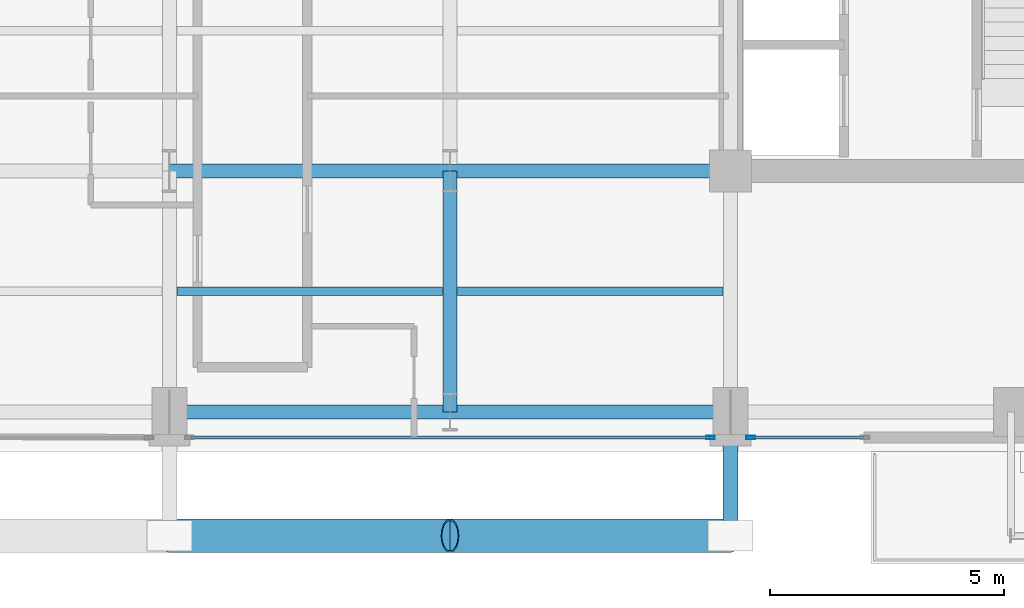
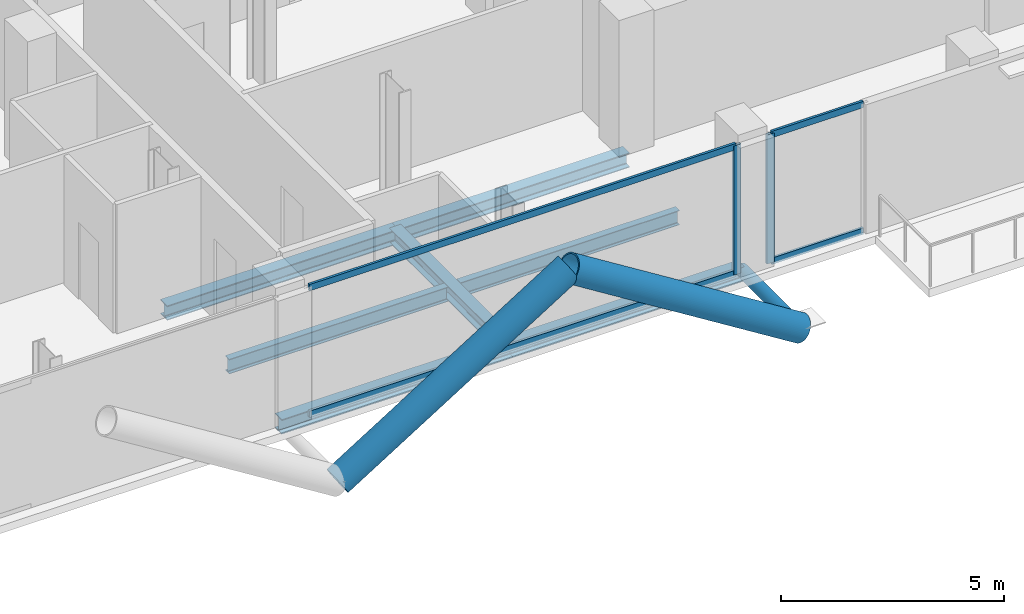
# One storey, part 4 of 25: 9 members, 7 beams, 2 elements without a shape of their own.
"""IFC4 building model written with IfcOpenShell, lengths in metres."""

from ifc_helpers import new_model, si_unit, direction, frame, origin, origin_2d, place, context, subcontext, project, spatial, hollow_rectangle, hollow_circle, i_section, extrude, material, layer, layer_set, material_profile, profile_set, type_object, element, aggregate, save


model = new_model("IFC4")

# Units and contexts
model_context = context("Model", 3, precision=1e-05, world=origin(), true_north=direction((0.0, 1.0)))
body_context = subcontext(model_context, "Body", "Model", "MODEL_VIEW")
ifc_project = project(units=[si_unit("LENGTHUNIT", "METRE"), si_unit("AREAUNIT", "SQUARE_METRE"), si_unit("VOLUMEUNIT", "CUBIC_METRE"), si_unit("PLANEANGLEUNIT", "RADIAN"), si_unit("MASSUNIT", "GRAM", prefix="KILO"), si_unit("THERMODYNAMICTEMPERATUREUNIT", "KELVIN"), si_unit("POWERUNIT", "WATT")], contexts=[model_context])

# Site, building, storey
site_placement = place(None, origin())
site = spatial("IfcSite", under=ifc_project, at=site_placement, CompositionType="ELEMENT")
building_placement = place(site_placement, origin())
building = spatial("IfcBuilding", under=site, at=building_placement, Name="Svarakhadi Broadcast Tower", CompositionType="ELEMENT")
storey_placement = place(building_placement, frame((0.0, 0.0, 216.14990234375)))
storey = spatial("IfcBuildingStorey", under=building, at=storey_placement, Name="L53", CompositionType="ELEMENT", Elevation=216.14990234375)

# Beams
ifc_material_1 = material(Name="Steel S355J2 (IS 2062 E350C)", Category="steel")
ifc_material_profile_1 = material_profile(ifc_material_1, i_section(OverallWidth=0.179931640625, OverallDepth=0.39990234375, WebThickness=0.008544921875, FlangeThickness=0.013427734375, FilletRadius=0.02099609375, at=origin_2d()), Name="NPB 400x180x66")
ifc_profile_set_1 = profile_set([ifc_material_profile_1], Name="Steel S355J2 (IS 2062 E350C)")
beam_type_1 = type_object("IfcBeamType", Name="Beam_NPB400", PredefinedType="BEAM", material=ifc_profile_set_1)
for number, where, z_axis, x_axis, name in (
    (1, (12.159912109375, 3.425048828125, -0.409912109375), (1.0, 0.0, 0.0), (0.0, 1.0, 0.0), "L53 Secondary Composite Beam SB009"),
    (2, (18.159912109375, 3.425048828125, -0.409912109375), (1.0, 0.0, 0.0), (0.0, 1.0, 0.0), "L53 Secondary Composite Beam SB013"),
):
    element("IfcBeam", number, at=place(storey_placement, frame(where, z_axis=z_axis, x_axis=x_axis)), inside=storey, type_object=beam_type_1, Name=name, PredefinedType="BEAM", context=body_context, shape_type="SweptSolid", body=[
        extrude(i_section(OverallWidth=0.179931640625, OverallDepth=0.39990234375, WebThickness=0.008544921875, FlangeThickness=0.013427734375, FilletRadius=0.02099609375, at=origin_2d()), origin(), (0.0, 0.0, 1.0), 5.68017578125),
    ])

# Curtain wall, member
ifc_material_2 = material(Name="Anodised Bronze Aluminium AA 6063-T6", Category="aluminium")
ifc_layer = layer(ifc_material_2, 0.18994140625)
ifc_layer_set = layer_set([ifc_layer], Name="Anodised Bronze Aluminium AA 6063-T6")
curtain_wall_type = type_object("IfcCurtainWallType", Name="CW_Sys_04", PredefinedType="NOTDEFINED", material=ifc_layer_set)
curtain_wall_1_placement = place(storey_placement, origin())
curtain_wall_1 = element("IfcCurtainWall", 3, at=curtain_wall_1_placement, inside=storey, type_object=curtain_wall_type, Name="L53 South Curtain Wall 17 Bay 1", PredefinedType="NOTDEFINED")
ifc_material_profile_2 = material_profile(ifc_material_2, hollow_rectangle(XDim=0.070068359375, YDim=0.18994140625, WallThickness=0.005615234375, at=origin_2d()), Name="ALU MULLION 190x70x6")
ifc_profile_set_2 = profile_set([ifc_material_profile_2], Name="Anodised Bronze Aluminium AA 6063-T6")
member_type_1 = type_object("IfcMemberType", Name="CW_Sys_04_Mul", PredefinedType="MULLION", material=ifc_profile_set_2)
member_1_placement = place(storey_placement, frame((24.429931640625, 0.300048828125, 0.0), z_axis=(0.0, 0.0, 1.0), x_axis=(0.0, -1.0, 0.0)))
member_1 = element("IfcMember", 4, at=member_1_placement, type_object=member_type_1, Name="CW-04 mullion 2", PredefinedType="MULLION", context=body_context, shape_type="SweptSolid", body=[
    extrude(hollow_rectangle(XDim=0.070068359375, YDim=0.18994140625, WallThickness=0.005615234375, at=origin_2d()), origin(), (0.0, 0.0, 1.0), 3.5400390625),
])

curtain_wall_2_placement = place(storey_placement, origin())
curtain_wall_2 = element("IfcCurtainWall", 5, at=curtain_wall_2_placement, inside=storey, type_object=curtain_wall_type, Name="L53 South Curtain Wall 17 Bay 2", PredefinedType="NOTDEFINED")
member_2_placement = place(storey_placement, frame((23.570068359375, 0.300048828125, 0.0), z_axis=(0.0, 0.0, 1.0), x_axis=(0.0, -1.0, 0.0)))
member_2 = element("IfcMember", 6, at=member_2_placement, type_object=member_type_1, Name="CW-04 mullion 1", PredefinedType="MULLION", context=body_context, shape_type="SweptSolid", body=[
    extrude(hollow_rectangle(XDim=0.070068359375, YDim=0.18994140625, WallThickness=0.005615234375, at=origin_2d()), origin(), (0.0, 0.0, 1.0), 3.5400390625),
])

# Member
ifc_material_profile_3 = material_profile(ifc_material_2, hollow_rectangle(XDim=0.06494140625, YDim=0.175048828125, WallThickness=0.0048828125, at=origin_2d()), Name="ALU TRANSOM 175x65x5")
ifc_profile_set_3 = profile_set([ifc_material_profile_3], Name="Anodised Bronze Aluminium AA 6063-T6")
member_type_2 = type_object("IfcMemberType", Name="CW_Sys_04_Trn", PredefinedType="USERDEFINED", material=ifc_profile_set_3)
member_3_placement = place(storey_placement, frame((26.840087890625, 0.300048828125, 0.03271484375), z_axis=(-1.0, 0.0, 0.0), x_axis=(0.0, -1.0, 0.0)))
member_3 = element("IfcMember", 7, at=member_3_placement, type_object=member_type_2, Name="CW-04 transom 1.1", ObjectType="TRANSOM", PredefinedType="USERDEFINED", context=body_context, shape_type="SweptSolid", body=[
    extrude(hollow_rectangle(XDim=0.06494140625, YDim=0.175048828125, WallThickness=0.0048828125, at=origin_2d()), origin(), (0.0, 0.0, 1.0), 2.375),
])

member_4_placement = place(storey_placement, frame((26.840087890625, 0.300048828125, 3.507568359375), z_axis=(-1.0, 0.0, 0.0), x_axis=(0.0, -1.0, 0.0)))
member_4 = element("IfcMember", 8, at=member_4_placement, type_object=member_type_2, Name="CW-04 transom 1.2", ObjectType="TRANSOM", PredefinedType="USERDEFINED", context=body_context, shape_type="SweptSolid", body=[
    extrude(hollow_rectangle(XDim=0.06494140625, YDim=0.175048828125, WallThickness=0.0048828125, at=origin_2d()), origin(), (0.0, 0.0, 1.0), 2.375),
])

aggregate(curtain_wall_1, [member_1, member_3, member_4])

member_5_placement = place(storey_placement, frame((23.534912109375, 0.300048828125, 0.03271484375), z_axis=(-1.0, 0.0, 0.0), x_axis=(0.0, -1.0, 0.0)))
member_5 = element("IfcMember", 9, at=member_5_placement, type_object=member_type_2, Name="CW-04 transom 1.1", ObjectType="TRANSOM", PredefinedType="USERDEFINED", context=body_context, shape_type="SweptSolid", body=[
    extrude(hollow_rectangle(XDim=0.06494140625, YDim=0.175048828125, WallThickness=0.0048828125, at=origin_2d()), origin(), (0.0, 0.0, 1.0), 11.06982421875),
])

member_6_placement = place(storey_placement, frame((23.534912109375, 0.300048828125, 3.507568359375), z_axis=(-1.0, 0.0, 0.0), x_axis=(0.0, -1.0, 0.0)))
member_6 = element("IfcMember", 10, at=member_6_placement, type_object=member_type_2, Name="CW-04 transom 1.2", ObjectType="TRANSOM", PredefinedType="USERDEFINED", context=body_context, shape_type="SweptSolid", body=[
    extrude(hollow_rectangle(XDim=0.06494140625, YDim=0.175048828125, WallThickness=0.0048828125, at=origin_2d()), origin(), (0.0, 0.0, 1.0), 11.06982421875),
])

aggregate(curtain_wall_2, [member_2, member_5, member_6])

# Members
ifc_material_3 = material(Name="Steel S460ML (IS 2062 E450BR)", Category="steel")
ifc_material_profile_4 = material_profile(ifc_material_3, hollow_circle(Radius=0.35546875, WallThickness=0.034912109375, at=origin_2d()), Name="CHS 711x35")
ifc_profile_set_4 = profile_set([ifc_material_profile_4], Name="Steel S460ML (IS 2062 E450BR)")
member_type_3 = type_object("IfcMemberType", Name="Exo_Brace_CHS711", PredefinedType="BRACE", material=ifc_profile_set_4)
for number, where, z_axis, x_axis, name in (
    (11, (12.0, -1.800048828125, -0.371826171875), (0.847998304005, 0.0, 0.529998940003), (0.0, 1.0, 0.0), "L53 Exposed Bronze Exoskeleton Diagonal S02"),
    (12, (24.0, -1.800048828125, -0.371826171875), (-0.847998304005, 0.0, 0.529998940003), (0.0, -1.0, 0.0), "L53 Exposed Bronze Exoskeleton Diagonal S03"),
):
    element("IfcMember", number, at=place(storey_placement, frame(where, z_axis=z_axis, x_axis=x_axis)), inside=storey, type_object=member_type_3, Name=name, PredefinedType="BRACE", context=body_context, shape_type="SweptSolid", body=[
        extrude(hollow_circle(Radius=0.35546875, WallThickness=0.034912109375, at=origin_2d()), origin(), (0.0, 0.0, 1.0), 7.075439453125),
    ])
ifc_material_profile_5 = material_profile(ifc_material_3, hollow_circle(Radius=0.161865234375, WallThickness=0.01611328125, at=origin_2d()), Name="CHS 323.9x16")
ifc_profile_set_5 = profile_set([ifc_material_profile_5], Name="Steel S460ML (IS 2062 E450BR)")
member_type_4 = type_object("IfcMemberType", Name="Exo_Radial_Strut_Z2", PredefinedType="STRUT", material=ifc_profile_set_5)
member_7_placement = place(storey_placement, frame((24.0, -1.800048828125, -0.371826171875), z_axis=(0.0, 1.0, 0.0), x_axis=(-1.0, 0.0, 0.0)))
element("IfcMember", 13, at=member_7_placement, inside=storey, type_object=member_type_4, Name="L53 Exoskeleton Radial Tie Strut S02", PredefinedType="STRUT", context=body_context, shape_type="SweptSolid", body=[
    extrude(hollow_circle(Radius=0.161865234375, WallThickness=0.01611328125, at=origin_2d()), origin(), (0.0, 0.0, 1.0), 2.650146484375),
])

# Beams
ifc_material_profile_6 = material_profile(ifc_material_1, i_section(OverallWidth=0.300048828125, OverallDepth=0.39990234375, WebThickness=0.013427734375, FlangeThickness=0.02392578125, FilletRadius=0.027099609375, at=origin_2d()), Name="WPB 400x300x155")
ifc_profile_set_6 = profile_set([ifc_material_profile_6], Name="Steel S355J2 (IS 2062 E350C)")
beam_type_2 = type_object("IfcBeamType", Name="Girder_WPB400", PredefinedType="USERDEFINED", material=ifc_profile_set_6)
for number, where, z_axis, x_axis, name in (
    (14, (12.0, 0.85009765625, -0.409912109375), (1.0, 0.0, 0.0), (0.0, 1.0, 0.0), "L53 Primary E-W Girder G005"),
    (15, (18.0, 0.85009765625, -0.409912109375), (1.0, 0.0, 0.0), (0.0, 1.0, 0.0), "L53 Primary E-W Girder G006"),
    (16, (12.0, 6.0, -0.409912109375), (1.0, 0.0, 0.0), (0.0, 1.0, 0.0), "L53 Primary E-W Girder G011"),
    (17, (18.0, 6.0, -0.409912109375), (1.0, 0.0, 0.0), (0.0, 1.0, 0.0), "L53 Primary E-W Girder G012"),
):
    element("IfcBeam", number, at=place(storey_placement, frame(where, z_axis=z_axis, x_axis=x_axis)), inside=storey, type_object=beam_type_2, Name=name, ObjectType="GIRDER", PredefinedType="USERDEFINED", context=body_context, shape_type="SweptSolid", body=[
        extrude(i_section(OverallWidth=0.300048828125, OverallDepth=0.39990234375, WebThickness=0.013427734375, FlangeThickness=0.02392578125, FilletRadius=0.027099609375, at=origin_2d()), origin(), (0.0, 0.0, 1.0), 6.0),
    ])
beam_placement = place(storey_placement, frame((18.0, 0.85009765625, -0.409912109375), z_axis=(0.0, 1.0, 0.0), x_axis=(-1.0, 0.0, 0.0)))
element("IfcBeam", 18, at=beam_placement, inside=storey, type_object=beam_type_2, Name="L53 Primary N-S Girder G046", ObjectType="GIRDER", PredefinedType="USERDEFINED", context=body_context, shape_type="SweptSolid", body=[
    extrude(i_section(OverallWidth=0.300048828125, OverallDepth=0.39990234375, WebThickness=0.013427734375, FlangeThickness=0.02392578125, FilletRadius=0.027099609375, at=origin_2d()), origin(), (0.0, 0.0, 1.0), 5.14990234375),
])

save(model, "model.ifc")
